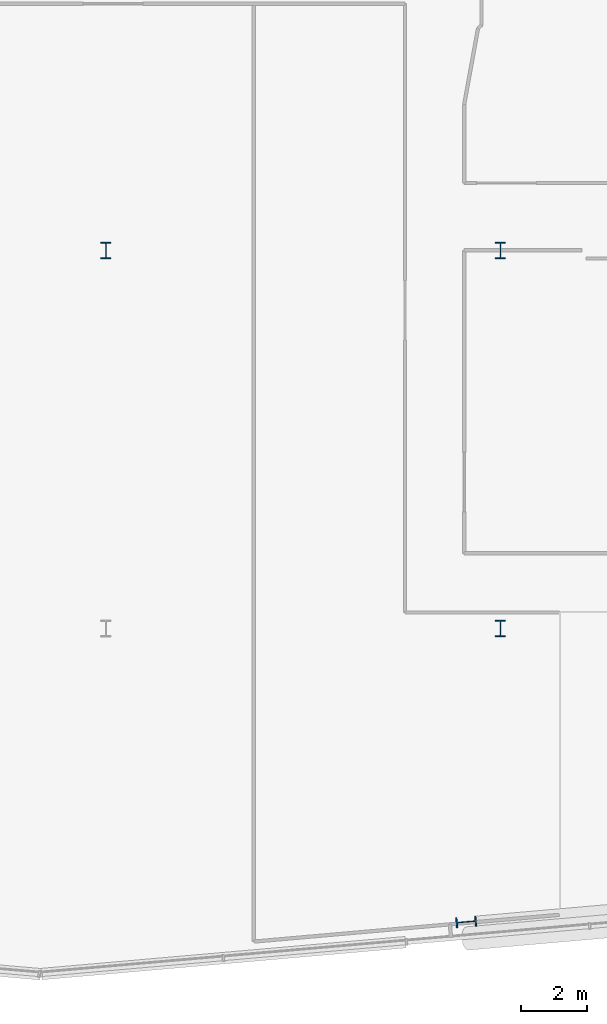
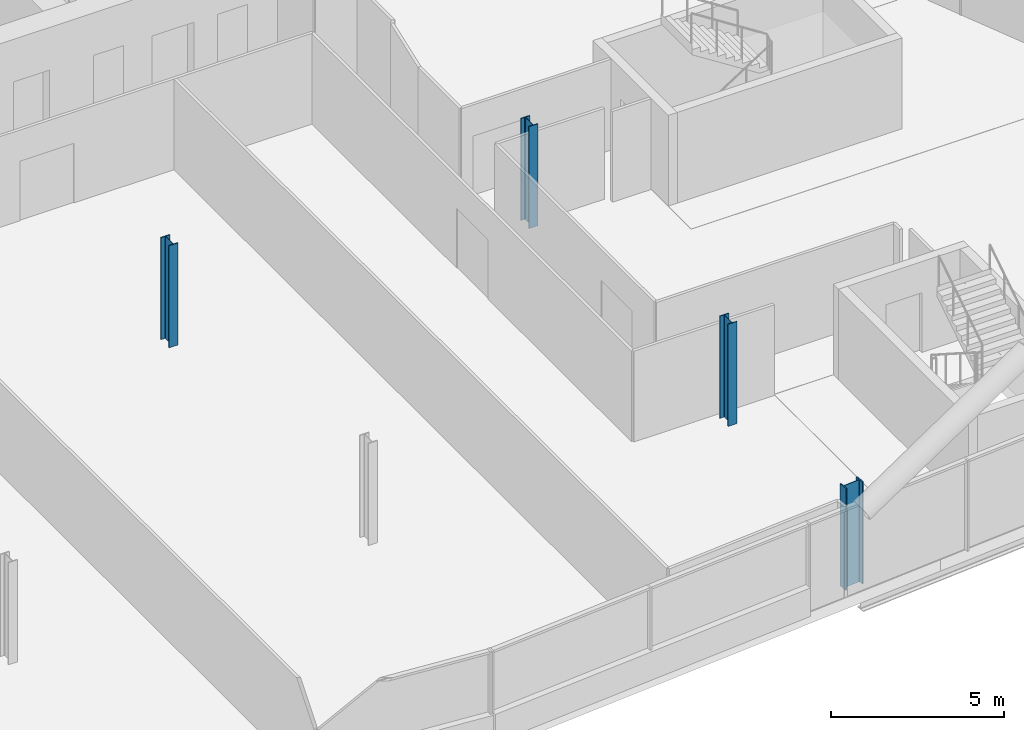
# One storey, part 2 of 26: 4 columns.
"""IFC4 building model written with IfcOpenShell, lengths in metres."""

from ifc_helpers import new_model, si_unit, direction, frame, origin, origin_2d, place, context, subcontext, project, spatial, i_section, extrude, material, material_profile, profile_set, type_object, element, save


model = new_model("IFC4")

# Units and contexts
model_context = context("Model", 3, precision=1e-05, world=origin(), true_north=direction((0.0, 1.0)))
body_context = subcontext(model_context, "Body", "Model", "MODEL_VIEW")
ifc_project = project(units=[si_unit("LENGTHUNIT", "METRE"), si_unit("AREAUNIT", "SQUARE_METRE"), si_unit("VOLUMEUNIT", "CUBIC_METRE"), si_unit("PLANEANGLEUNIT", "RADIAN"), si_unit("MASSUNIT", "GRAM", prefix="KILO")], contexts=[model_context])

# Site, building, storey
site_placement = place(None, origin())
site = spatial("IfcSite", under=ifc_project, at=site_placement, CompositionType="ELEMENT")
building_placement = place(site_placement, origin())
building = spatial("IfcBuilding", under=site, at=building_placement, Name="Wharfspan Tower", CompositionType="ELEMENT")
storey_placement = place(building_placement, frame((0.0, 0.0, 177.100098)))
storey = spatial("IfcBuildingStorey", under=building, at=storey_placement, Name="L43", CompositionType="ELEMENT", Elevation=177.100098)

# Columns
ifc_material = material(Name="Steel S355J2", Category="steel")
ifc_material_profile_1 = material_profile(ifc_material, i_section(OverallWidth=0.300049, OverallDepth=0.5, WebThickness=0.014404, FlangeThickness=0.028076, FilletRadius=0.0271, at=origin_2d()))
ifc_profile_set_1 = profile_set([ifc_material_profile_1], Name="Steel S355J2")
column_type_1 = type_object("IfcColumnType", Name="Column HEB 500", PredefinedType="COLUMN", material=ifc_profile_set_1)
for number, where, z_axis, x_axis, name in (
    (1, (60.0, 11.5, 0.0), (0.0, 0.0, 1.0), (1.0, 0.0, 0.0), "Interior column I.1.4 L43"),
    (2, (48.0, 23.0, 0.0), (0.0, 0.0, 1.0), (1.0, 0.0, 0.0), "Interior column I.2.3 L43"),
    (3, (60.0, 23.0, 0.0), (0.0, 0.0, 1.0), (1.0, 0.0, 0.0), "Interior column I.2.4 L43"),
):
    element("IfcColumn", number, at=place(storey_placement, frame(where, z_axis=z_axis, x_axis=x_axis)), inside=storey, type_object=column_type_1, Name=name, PredefinedType="COLUMN", context=body_context, shape_type="SweptSolid", body=[
        extrude(i_section(OverallWidth=0.300049, OverallDepth=0.5, WebThickness=0.014404, FlangeThickness=0.028076, FilletRadius=0.0271, at=origin_2d()), origin(), (0.0, 0.0, 1.0), 3.599854),
    ])
ifc_material_profile_2 = material_profile(ifc_material, i_section(OverallWidth=0.304932, OverallDepth=0.620117, WebThickness=0.020996, FlangeThickness=0.040039, FilletRadius=0.0271, at=origin_2d()))
ifc_profile_set_2 = profile_set([ifc_material_profile_2], Name="Steel S355J2")
column_type_2 = type_object("IfcColumnType", Name="Column HEM 600", PredefinedType="COLUMN", material=ifc_profile_set_2)
column_placement = place(storey_placement, frame((58.960693, 2.573486, 0.0), z_axis=(0.0, 0.0, 1.0), x_axis=(0.087156, -0.996198, 0.0)))
element("IfcColumn", 4, at=column_placement, inside=storey, type_object=column_type_2, Name="Perimeter column PS2.1 L43", PredefinedType="COLUMN", context=body_context, shape_type="SweptSolid", body=[
    extrude(i_section(OverallWidth=0.304932, OverallDepth=0.620117, WebThickness=0.020996, FlangeThickness=0.040039, FilletRadius=0.0271, at=origin_2d()), origin(), (0.0, 0.0, 1.0), 3.599854),
])

save(model, "model.ifc")
